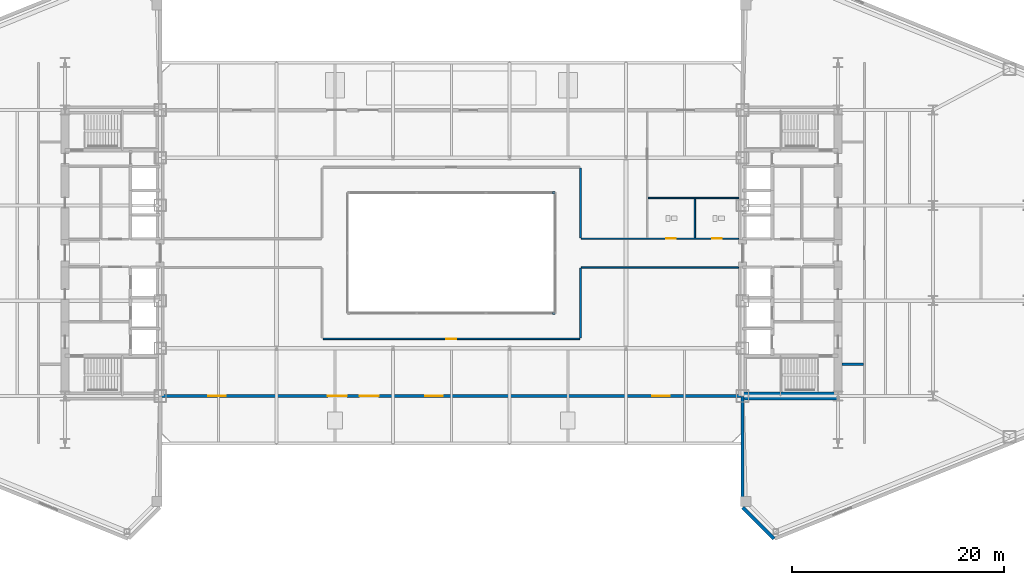
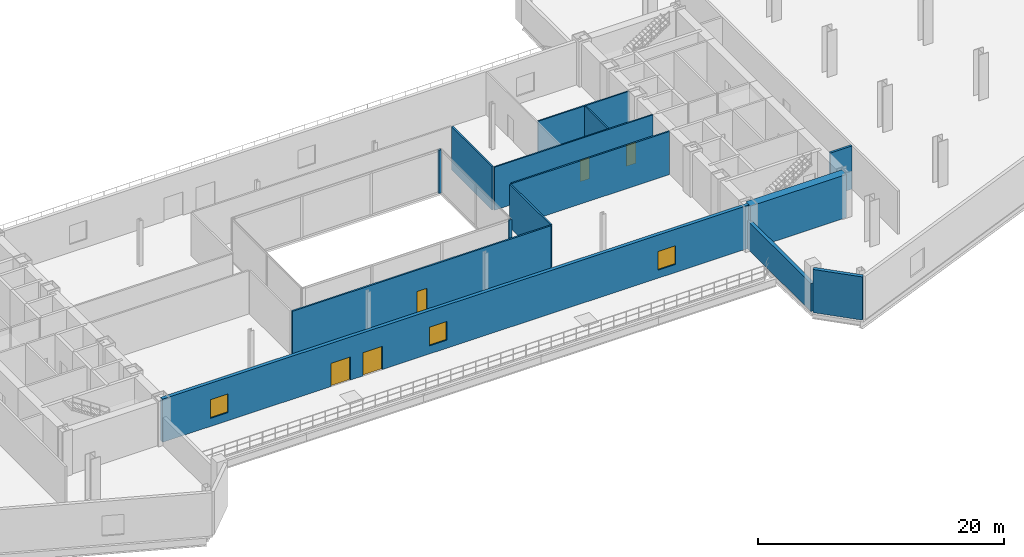
# One storey, part 17 of 23: 14 walls, 5 doors, 3 windows, 8 openings.
"""IFC4 building model written with IfcOpenShell, lengths in metres."""

from ifc_helpers import new_model, si_unit, direction, frame, frame_2d, origin, place, context, subcontext, project, spatial, rectangle, extrude, source, transform, mapped, material, layer, layer_set, type_object, type_shapes, element, fill, save


model = new_model("IFC4")

# Units and contexts
model_context = context("Model", 3, precision=1e-05, world=origin(), true_north=direction((0.0, 1.0)))
body_context = subcontext(model_context, "Body", "Model", "MODEL_VIEW")
ifc_project = project(units=[si_unit("LENGTHUNIT", "METRE"), si_unit("AREAUNIT", "SQUARE_METRE"), si_unit("VOLUMEUNIT", "CUBIC_METRE"), si_unit("PLANEANGLEUNIT", "RADIAN"), si_unit("MASSUNIT", "GRAM", prefix="KILO")], contexts=[model_context])

# Site, building, storey
site_placement = place(None, origin())
site = spatial("IfcSite", under=ifc_project, at=site_placement, CompositionType="ELEMENT")
building_placement = place(site_placement, origin())
building = spatial("IfcBuilding", under=site, at=building_placement, Name="Seokmaru Belvedere", CompositionType="ELEMENT")
storey_placement = place(building_placement, frame((0.0, 0.0, 14.39990234375)))
storey = spatial("IfcBuildingStorey", under=building, at=storey_placement, Name="L03", CompositionType="ELEMENT", Elevation=14.39990234375)

# Wall, opening, door
ifc_material_1 = material(Name="Fire-Rated Gypsum Shaftwall")
ifc_layer_1 = layer(ifc_material_1, 0.14990234375)
ifc_layer_set_1 = layer_set([ifc_layer_1], Name="Fire-Rated Gypsum Shaftwall")
wall_type_1 = type_object("IfcWallType", Name="Apartment Fire-Acoustic Room Partition 150", PredefinedType="PARTITIONING", material=ifc_layer_set_1)
wall_1_placement = place(storey_placement, frame((-12.114990234375, -8.10009765625, 0.0), z_axis=(0.0, 0.0, 1.0), x_axis=(1.0, 0.0, 0.0)))
wall_1 = element("IfcWall", 1, at=wall_1_placement, inside=storey, type_object=wall_type_1, Name="L03 Interior Partition 003", PredefinedType="PARTITIONING", context=body_context, shape_type="SweptSolid", body=[
    extrude(rectangle(XDim=24.22998046875, YDim=0.14990234375, at=frame_2d((12.114990234375, 0.0))), origin(), (0.0, 0.0, 1.0), 4.280029296875),
])
opening_1_placement = place(wall_1_placement, frame((11.639892578125, 0.0, 0.0)))
opening_1 = element("IfcOpeningElement", 2, at=opening_1_placement, cuts=wall_1, Name="Opening D05", PredefinedType="OPENING", context=body_context, shape_type="SweptSolid", body=[
    extrude(rectangle(XDim=0.949951171875, YDim=2.14990234375, at=frame_2d((0.47509765625, 1.074951171875))), frame((0.0, 0.0849609375, 0.0), z_axis=(0.0, -1.0, 0.0), x_axis=(1.0, 0.0, 0.0)), (0.0, 0.0, 1.0), 0.169921875),
])
ifc_material_2 = material(Name="Engineered White Oak Timber", Category="wood")
door_type_1 = type_object("IfcDoorType", Name="Apartment Interior Fire-Rated Oak Door 950x2150", OperationType="NOTDEFINED", PredefinedType="DOOR", material=ifc_material_2)
shared_shape_1 = source(origin(), body_context, "Body", "SweptSolid", [
    extrude(rectangle(XDim=0.949951171875, YDim=2.14990234375, at=frame_2d((0.47509765625, 1.074951171875))), frame((0.0, 0.02490234375, 0.0), z_axis=(0.0, -1.0, 0.0), x_axis=(1.0, 0.0, 0.0)), (0.0, 0.0, 1.0), 0.050048828125),
])
type_shapes(door_type_1, [shared_shape_1])
door_1_placement = place(opening_1_placement, origin())
door_1 = element("IfcDoor", 3, at=door_1_placement, inside=storey, type_object=door_type_1, Name="L03 Interior Door 004", OperationType="SINGLE_SWING_RIGHT", OverallHeight=2.14990234375, OverallWidth=0.949951171875, PredefinedType="DOOR", context=body_context, shape_type="MappedRepresentation", body=[
    mapped(shared_shape_1, transform((0.0, 0.0, 0.0), scale=1.0)),
])
fill(opening_1, door_1)

# Walls
wall_2_placement = place(storey_placement, frame((12.284912109375, -1.35009765625, 0.0), z_axis=(0.0, 0.0, 1.0), x_axis=(1.0, 0.0, 0.0)))
element("IfcWall", 4, at=wall_2_placement, inside=storey, type_object=wall_type_1, Name="L03 Interior Partition 005", PredefinedType="PARTITIONING", context=body_context, shape_type="SweptSolid", body=[
    extrude(rectangle(XDim=14.835205078125, YDim=0.14990234375, at=frame_2d((7.41748046875, 0.0))), origin(), (0.0, 0.0, 1.0), 4.280029296875),
])
for number, where, z_axis, x_axis, name in (
    (5, (12.199951171875, -8.014892578125, 0.0), (0.0, 0.0, 1.0), (0.0, 1.0, 0.0), "L03 Interior Partition 015"),
    (6, (12.199951171875, 1.43505859375, 0.0), (0.0, 0.0, 1.0), (0.0, 1.0, 0.0), "L03 Interior Partition 016"),
):
    element("IfcWall", number, at=place(storey_placement, frame(where, z_axis=z_axis, x_axis=x_axis)), inside=storey, type_object=wall_type_1, Name=name, PredefinedType="PARTITIONING", context=body_context, shape_type="SweptSolid", body=[
        extrude(rectangle(XDim=6.579833984375, YDim=0.14990234375, at=frame_2d((3.2900390625, 0.0))), origin(), (0.0, 0.0, 1.0), 4.280029296875),
    ])
ifc_material_3 = material(Name="Anodised Bronze Aluminium", Category="aluminium")
ifc_layer_2 = layer(ifc_material_3, 0.2099609375)
ifc_layer_set_2 = layer_set([ifc_layer_2], Name="Anodised Bronze Aluminium")
wall_type_2 = type_object("IfcWallType", Name="Bridge Column Spandrel Closure Pier 210", PredefinedType="SOLIDWALL", material=ifc_layer_set_2)
for number, where, z_axis, x_axis, name in (
    (7, (9.800048828125, -5.699951171875, 0.0), (0.0, 0.0, 1.0), (-1.0, 0.0, 0.0), "L03 Atrium Corner Closure Pier 2"),
    (8, (9.800048828125, 5.699951171875, 0.0), (0.0, 0.0, 1.0), (-1.0, 0.0, 0.0), "L03 Atrium Corner Closure Pier 3"),
):
    element("IfcWall", number, at=place(storey_placement, frame(where, z_axis=z_axis, x_axis=x_axis)), inside=storey, type_object=wall_type_2, Name=name, PredefinedType="SOLIDWALL", context=body_context, shape_type="SweptSolid", body=[
        extrude(rectangle(XDim=0.25, YDim=0.2099609375, at=frame_2d((0.125, 0.0))), origin(), (0.0, 0.0, 1.0), 4.280029296875),
    ])
ifc_layer_3 = layer(ifc_material_1, 0.199951171875)
ifc_layer_set_3 = layer_set([ifc_layer_3], Name="Fire-Rated Gypsum Shaftwall")
wall_type_3 = type_object("IfcWallType", Name="Inter-Tenancy Fire Compartment Partition 200", PredefinedType="PARTITIONING", material=ifc_layer_set_3)
wall_3_placement = place(storey_placement, frame((36.8798828125, -10.5, 0.0), z_axis=(0.0, 0.0, 1.0), x_axis=(1.0, 0.0, 0.0)))
element("IfcWall", 9, at=wall_3_placement, inside=storey, type_object=wall_type_3, Name="L03 Interior Partition 002", PredefinedType="PARTITIONING", context=body_context, shape_type="SweptSolid", body=[
    extrude(rectangle(XDim=2.03515625, YDim=0.199951171875, at=frame_2d((1.017578125, 0.0))), origin(), (0.0, 0.0, 1.0), 4.280029296875),
])
ifc_material_4 = material(Name="Concrete C60 (60 MPa)", Category="concrete")
ifc_layer_4 = layer(ifc_material_4, 0.75)
ifc_layer_set_4 = layer_set([ifc_layer_4], Name="Concrete C60 (60 MPa)")
wall_type_4 = type_object("IfcWallType", Name="Lower Tower Reinforced Concrete Core Wall 750", PredefinedType="SHEAR", material=ifc_layer_set_4)
wall_4_placement = place(storey_placement, frame((27.5, -13.5, 0.0), z_axis=(0.0, 0.0, 1.0), x_axis=(1.0, 0.0, 0.0)))
element("IfcWall", 10, at=wall_4_placement, inside=storey, type_object=wall_type_4, Name="L03 East South Core Wall", PredefinedType="SHEAR", context=body_context, shape_type="SweptSolid", body=[
    extrude(rectangle(XDim=9.0, YDim=0.75, at=frame_2d((4.5, 0.0))), origin(), (0.0, 0.0, 1.0), 4.280029296875),
])

# Wall, openings, doors
ifc_layer_5 = layer(ifc_material_1, 0.1298828125)
ifc_layer_set_5 = layer_set([ifc_layer_5], Name="Fire-Rated Gypsum Shaftwall")
wall_type_5 = type_object("IfcWallType", Name="Moisture-Resistant Fire-Rated Bathroom Partition 130", PredefinedType="PARTITIONING", material=ifc_layer_set_5)
wall_5_placement = place(storey_placement, frame((12.284912109375, 1.35009765625, 0.0), z_axis=(0.0, 0.0, 1.0), x_axis=(1.0, 0.0, 0.0)))
wall_5 = element("IfcWall", 11, at=wall_5_placement, inside=storey, type_object=wall_type_5, Name="L03 Interior Partition 007", PredefinedType="PARTITIONING", context=body_context, shape_type="SweptSolid", body=[
    extrude(rectangle(XDim=14.835205078125, YDim=0.1298828125, at=frame_2d((7.41748046875, 0.0))), origin(), (0.0, 0.0, 1.0), 4.280029296875),
])
opening_2_placement = place(wall_5_placement, frame((8.02490234375, 0.0, 0.0)))
opening_2 = element("IfcOpeningElement", 12, at=opening_2_placement, cuts=wall_5, Name="Opening D06", PredefinedType="OPENING", context=body_context, shape_type="SweptSolid", body=[
    extrude(rectangle(XDim=0.8798828125, YDim=2.10009765625, at=frame_2d((0.43994140625, 1.050048828125))), frame((0.0, 0.074951171875, 0.0), z_axis=(0.0, -1.0, 0.0), x_axis=(1.0, 0.0, 0.0)), (0.0, 0.0, 1.0), 0.14990234375),
])
opening_3_placement = place(wall_5_placement, frame((12.375, 0.0, 0.0)))
opening_3 = element("IfcOpeningElement", 13, at=opening_3_placement, cuts=wall_5, Name="Opening D06", PredefinedType="OPENING", context=body_context, shape_type="SweptSolid", body=[
    extrude(rectangle(XDim=0.8798828125, YDim=2.10009765625, at=frame_2d((0.43994140625, 1.050048828125))), frame((0.0, 0.074951171875, 0.0), z_axis=(0.0, -1.0, 0.0), x_axis=(1.0, 0.0, 0.0)), (0.0, 0.0, 1.0), 0.14990234375),
])
door_type_2 = type_object("IfcDoorType", Name="Bathroom and Restroom Fire-Rated Door 880x2100", OperationType="NOTDEFINED", PredefinedType="DOOR", material=ifc_material_2)
shared_shape_2 = source(origin(), body_context, "Body", "SweptSolid", [
    extrude(rectangle(XDim=0.8798828125, YDim=2.10009765625, at=frame_2d((0.43994140625, 1.050048828125))), frame((0.0, 0.02490234375, 0.0), z_axis=(0.0, -1.0, 0.0), x_axis=(1.0, 0.0, 0.0)), (0.0, 0.0, 1.0), 0.050048828125),
])
type_shapes(door_type_2, [shared_shape_2])
door_2_placement = place(opening_2_placement, origin())
door_2 = element("IfcDoor", 14, at=door_2_placement, inside=storey, type_object=door_type_2, Name="L03 Interior Door 005", OperationType="SINGLE_SWING_LEFT", OverallHeight=2.10009765625, OverallWidth=0.8798828125, PredefinedType="DOOR", context=body_context, shape_type="MappedRepresentation", body=[
    mapped(shared_shape_2, transform((0.0, 0.0, 0.0), scale=1.0)),
])
fill(opening_2, door_2)
door_3_placement = place(opening_3_placement, origin())
door_3 = element("IfcDoor", 15, at=door_3_placement, inside=storey, type_object=door_type_2, Name="L03 Interior Door 006", OperationType="SINGLE_SWING_RIGHT", OverallHeight=2.10009765625, OverallWidth=0.8798828125, PredefinedType="DOOR", context=body_context, shape_type="MappedRepresentation", body=[
    mapped(shared_shape_2, transform((0.0, 0.0, 0.0), scale=1.0)),
])
fill(opening_3, door_3)

# Walls
wall_6_placement = place(storey_placement, frame((18.5849609375, 5.199951171875, 0.0), z_axis=(0.0, 0.0, 1.0), x_axis=(1.0, 0.0, 0.0)))
element("IfcWall", 16, at=wall_6_placement, inside=storey, type_object=wall_type_5, Name="L03 Interior Partition 008", PredefinedType="PARTITIONING", context=body_context, shape_type="SweptSolid", body=[
    extrude(rectangle(XDim=8.53515625, YDim=0.1298828125, at=frame_2d((4.267578125, 0.0))), origin(), (0.0, 0.0, 1.0), 4.280029296875),
])
wall_7_placement = place(storey_placement, frame((23.0, 1.43505859375, 0.0), z_axis=(0.0, 0.0, 1.0), x_axis=(0.0, 1.0, 0.0)))
element("IfcWall", 17, at=wall_7_placement, inside=storey, type_object=wall_type_5, Name="L03 Interior Partition 018", PredefinedType="PARTITIONING", context=body_context, shape_type="SweptSolid", body=[
    extrude(rectangle(XDim=3.679931640625, YDim=0.1298828125, at=frame_2d((1.83984375, 0.0))), origin(), (0.0, 0.0, 1.0), 4.280029296875),
])

# Wall, openings, doors, windows
ifc_material_5 = material(Name="Concrete C40 (40 MPa)", Category="concrete")
ifc_layer_6 = layer(ifc_material_5, 0.320068359375)
ifc_layer_set_6 = layer_set([ifc_layer_6], Name="Concrete C40 (40 MPa)")
wall_type_6 = type_object("IfcWallType", Name="Podium Terrace Insulated Wall 320", PredefinedType="SOLIDWALL", material=ifc_layer_set_6)
wall_8_placement = place(storey_placement, frame((-27.4599609375, -13.5, 0.0), z_axis=(0.0, 0.0, 1.0), x_axis=(1.0, 0.0, 0.0)))
wall_8 = element("IfcWall", 18, at=wall_8_placement, inside=storey, type_object=wall_type_6, Name="L03 Exterior Podium Wall 04", PredefinedType="SOLIDWALL", context=body_context, shape_type="SweptSolid", body=[
    extrude(rectangle(XDim=54.919921875, YDim=0.320068359375, at=frame_2d((27.4599609375, 0.0))), origin(), (0.0, 0.0, 1.0), 4.280029296875),
])
opening_4_placement = place(wall_8_placement, frame((15.800048828125, 0.0, 0.0)))
opening_4 = element("IfcOpeningElement", 19, at=opening_4_placement, cuts=wall_8, Name="Opening DX3", PredefinedType="OPENING", context=body_context, shape_type="SweptSolid", body=[
    extrude(rectangle(XDim=1.800048828125, YDim=2.300048828125, at=frame_2d((0.89990234375, 1.14990234375))), frame((0.0, 0.169921875, 0.0), z_axis=(0.0, -1.0, 0.0), x_axis=(1.0, 0.0, 0.0)), (0.0, 0.0, 1.0), 0.340087890625),
])
opening_5_placement = place(wall_8_placement, frame((18.800048828125, 0.0, 0.0)))
opening_5 = element("IfcOpeningElement", 20, at=opening_5_placement, cuts=wall_8, Name="Opening DX3", PredefinedType="OPENING", context=body_context, shape_type="SweptSolid", body=[
    extrude(rectangle(XDim=1.800048828125, YDim=2.300048828125, at=frame_2d((0.89990234375, 1.14990234375))), frame((0.0, 0.169921875, 0.0), z_axis=(0.0, -1.0, 0.0), x_axis=(1.0, 0.0, 0.0)), (0.0, 0.0, 1.0), 0.340087890625),
])
opening_6_placement = place(wall_8_placement, frame((4.5, 0.0, 0.800048828125)))
opening_6 = element("IfcOpeningElement", 21, at=opening_6_placement, cuts=wall_8, Name="Opening WN8", PredefinedType="OPENING", context=body_context, shape_type="SweptSolid", body=[
    extrude(rectangle(XDim=1.64990234375, YDim=1.85009765625, at=frame_2d((0.824951171875, 0.925048828125))), frame((0.0, 0.169921875, 0.0), z_axis=(0.0, -1.0, 0.0), x_axis=(1.0, 0.0, 0.0)), (0.0, 0.0, 1.0), 0.340087890625),
])
opening_7_placement = place(wall_8_placement, frame((25.0, 0.0, 0.800048828125)))
opening_7 = element("IfcOpeningElement", 22, at=opening_7_placement, cuts=wall_8, Name="Opening WN8", PredefinedType="OPENING", context=body_context, shape_type="SweptSolid", body=[
    extrude(rectangle(XDim=1.64990234375, YDim=1.85009765625, at=frame_2d((0.824951171875, 0.925048828125))), frame((0.0, 0.169921875, 0.0), z_axis=(0.0, -1.0, 0.0), x_axis=(1.0, 0.0, 0.0)), (0.0, 0.0, 1.0), 0.340087890625),
])
opening_8_placement = place(wall_8_placement, frame((46.419921875, 0.0, 0.800048828125)))
opening_8 = element("IfcOpeningElement", 23, at=opening_8_placement, cuts=wall_8, Name="Opening WN8", PredefinedType="OPENING", context=body_context, shape_type="SweptSolid", body=[
    extrude(rectangle(XDim=1.64990234375, YDim=1.85009765625, at=frame_2d((0.824951171875, 0.925048828125))), frame((0.0, 0.169921875, 0.0), z_axis=(0.0, -1.0, 0.0), x_axis=(1.0, 0.0, 0.0)), (0.0, 0.0, 1.0), 0.340087890625),
])
door_type_3 = type_object("IfcDoorType", Name="Cascading Terrace Glazed Double Door 1800x2300", OperationType="DOUBLE_SWING_LEFT", PredefinedType="DOOR", material=ifc_material_3)
shared_shape_3 = source(origin(), body_context, "Body", "SweptSolid", [
    extrude(rectangle(XDim=1.800048828125, YDim=2.300048828125, at=frame_2d((0.89990234375, 1.14990234375))), frame((0.0, 0.02490234375, 0.0), z_axis=(0.0, -1.0, 0.0), x_axis=(1.0, 0.0, 0.0)), (0.0, 0.0, 1.0), 0.050048828125),
])
type_shapes(door_type_3, [shared_shape_3])
door_4_placement = place(opening_4_placement, frame((1.800048828125, 0.0, 0.0), z_axis=(0.0, 0.0, 1.0), x_axis=(-1.0, 0.0, 0.0)))
door_4 = element("IfcDoor", 24, at=door_4_placement, inside=storey, type_object=door_type_3, Name="L03 South Garden Terrace Access Door 1", OperationType="DOUBLE_SWING_LEFT", OverallHeight=2.300048828125, OverallWidth=1.800048828125, PredefinedType="DOOR", context=body_context, shape_type="MappedRepresentation", body=[
    mapped(shared_shape_3, transform((0.0, 0.0, 0.0), scale=1.0)),
])
fill(opening_4, door_4)
door_5_placement = place(opening_5_placement, frame((1.800048828125, 0.0, 0.0), z_axis=(0.0, 0.0, 1.0), x_axis=(-1.0, 0.0, 0.0)))
door_5 = element("IfcDoor", 25, at=door_5_placement, inside=storey, type_object=door_type_3, Name="L03 South Garden Terrace Access Door 2", OperationType="DOUBLE_SWING_LEFT", OverallHeight=2.300048828125, OverallWidth=1.800048828125, PredefinedType="DOOR", context=body_context, shape_type="MappedRepresentation", body=[
    mapped(shared_shape_3, transform((0.0, 0.0, 0.0), scale=1.0)),
])
fill(opening_5, door_5)
ifc_material_6 = material(Name="Bronze Triple Insulating Glass", Category="glass")
window_type = type_object("IfcWindowType", Name="Podium Seminar Clerestory Window 1650x1850", PartitioningType="SINGLE_PANEL", PredefinedType="WINDOW", material=ifc_material_6)
shared_shape_4 = source(origin(), body_context, "Body", "SweptSolid", [
    extrude(rectangle(XDim=1.64990234375, YDim=1.85009765625, at=frame_2d((0.824951171875, 0.925048828125))), frame((0.0, 0.030029296875, 0.0), z_axis=(0.0, -1.0, 0.0), x_axis=(1.0, 0.0, 0.0)), (0.0, 0.0, 1.0), 0.06005859375),
])
type_shapes(window_type, [shared_shape_4])
window_1_placement = place(opening_6_placement, origin())
window_1 = element("IfcWindow", 26, at=window_1_placement, inside=storey, type_object=window_type, Name="L03 South Terrace Window 1", OverallHeight=1.85009765625, OverallWidth=1.64990234375, PartitioningType="SINGLE_PANEL", PredefinedType="WINDOW", context=body_context, shape_type="MappedRepresentation", body=[
    mapped(shared_shape_4, transform((0.0, 0.0, 0.0), scale=1.0)),
])
fill(opening_6, window_1)
window_2_placement = place(opening_7_placement, origin())
window_2 = element("IfcWindow", 27, at=window_2_placement, inside=storey, type_object=window_type, Name="L03 South Terrace Window 2", OverallHeight=1.85009765625, OverallWidth=1.64990234375, PartitioningType="SINGLE_PANEL", PredefinedType="WINDOW", context=body_context, shape_type="MappedRepresentation", body=[
    mapped(shared_shape_4, transform((0.0, 0.0, 0.0), scale=1.0)),
])
fill(opening_7, window_2)
window_3_placement = place(opening_8_placement, origin())
window_3 = element("IfcWindow", 28, at=window_3_placement, inside=storey, type_object=window_type, Name="L03 South Terrace Window 3", OverallHeight=1.85009765625, OverallWidth=1.64990234375, PartitioningType="SINGLE_PANEL", PredefinedType="WINDOW", context=body_context, shape_type="MappedRepresentation", body=[
    mapped(shared_shape_4, transform((0.0, 0.0, 0.0), scale=1.0)),
])
fill(opening_8, window_3)

# Walls
wall_9_placement = place(storey_placement, frame((27.5, -23.949951171875, 0.0), z_axis=(0.0, 0.0, 1.0), x_axis=(0.0, 1.0, 0.0)))
element("IfcWall", 29, at=wall_9_placement, inside=storey, type_object=wall_type_6, Name="L03 Exterior Podium Spine Wall 05S", PredefinedType="SOLIDWALL", context=body_context, shape_type="SweptSolid", body=[
    extrude(rectangle(XDim=10.39990234375, YDim=0.320068359375, at=frame_2d((5.199951171875, 0.0))), origin(), (0.0, 0.0, 1.0), 2.780029296875),
])
wall_10_placement = place(storey_placement, frame((27.5283203125, -24.0283203125, 0.0), z_axis=(0.0, 0.0, 1.0), x_axis=(0.707106781187, -0.707106781187, 0.0)))
element("IfcWall", 30, at=wall_10_placement, inside=storey, type_object=wall_type_6, Name="L03 Exterior Podium Wall 06", PredefinedType="SOLIDWALL", context=body_context, shape_type="SweptSolid", body=[
    extrude(rectangle(XDim=4.16259765625, YDim=0.320068359375, at=frame_2d((2.081298828125, 0.0))), origin(), (0.0, 0.0, 1.0), 4.280029296875),
])

save(model, "model.ifc")
